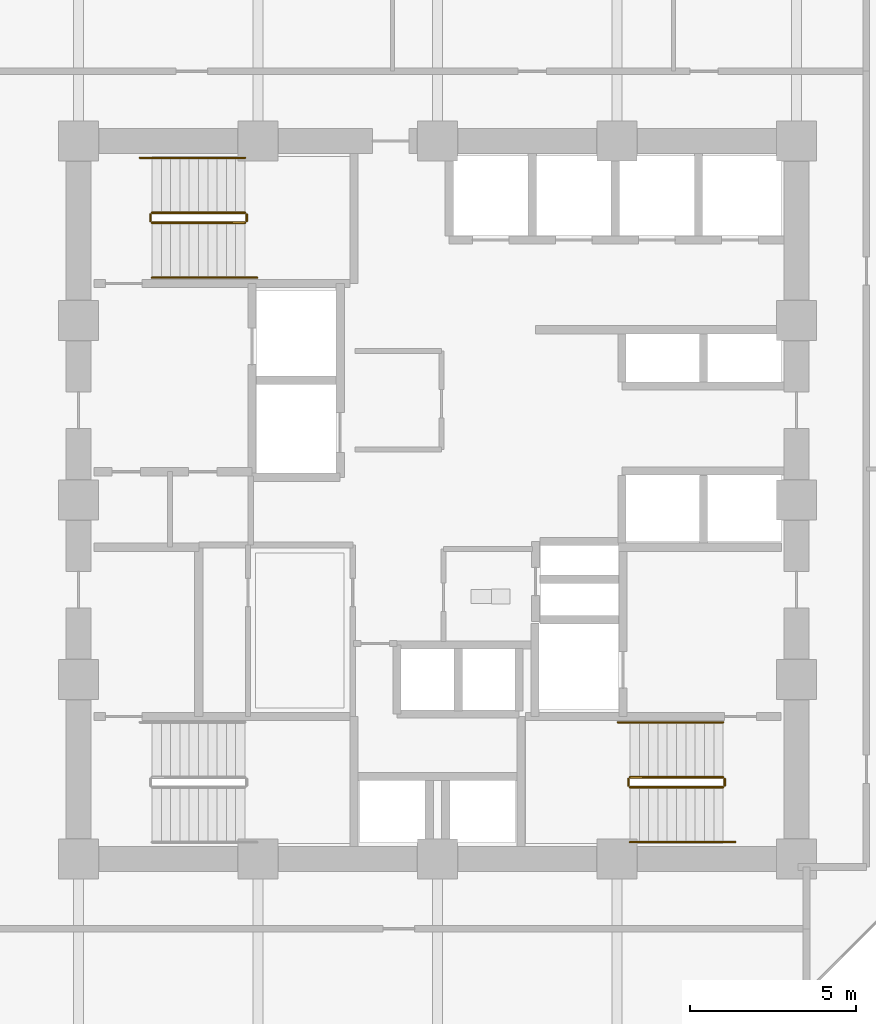
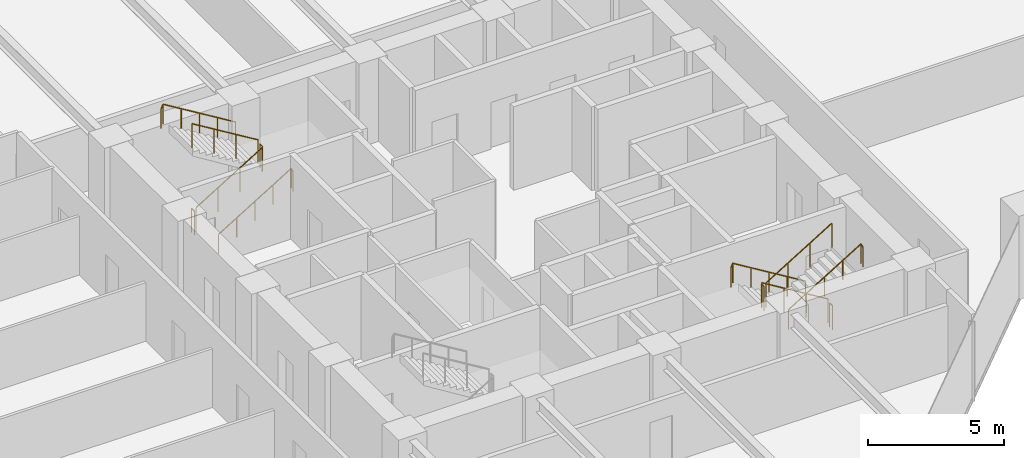
# One storey, part 24 of 25: 12 railings.
"""IFC4 building model written with IfcOpenShell, lengths in metres."""

from ifc_helpers import new_model, si_unit, direction, frame, origin, origin_2d, place, context, subcontext, project, spatial, circle, extrude, material, type_object, element, save


model = new_model("IFC4")

# Units and contexts
model_context = context("Model", 3, precision=1e-05, world=origin(), true_north=direction((0.0, 1.0)))
body_context = subcontext(model_context, "Body", "Model", "MODEL_VIEW")
ifc_project = project(units=[si_unit("LENGTHUNIT", "METRE"), si_unit("AREAUNIT", "SQUARE_METRE"), si_unit("VOLUMEUNIT", "CUBIC_METRE"), si_unit("PLANEANGLEUNIT", "RADIAN"), si_unit("MASSUNIT", "GRAM", prefix="KILO")], contexts=[model_context])

# Site, building, storey
site_placement = place(None, origin())
site = spatial("IfcSite", under=ifc_project, at=site_placement, CompositionType="ELEMENT")
building_placement = place(site_placement, origin())
building = spatial("IfcBuilding", under=site, at=building_placement, Name="Surkhivell Harbour Commons", CompositionType="ELEMENT")
storey_placement = place(building_placement, frame((0.0, 0.0, 33.75)))
storey = spatial("IfcBuildingStorey", under=building, at=storey_placement, Name="L08", CompositionType="ELEMENT", Elevation=33.75)

# Railings
ifc_material_1 = material(Name="Galvanised and painted steel S355 guard rail", Category="steel")
railing_type_1 = type_object("IfcRailingType", Name="RAL-ST-GRD1100", PredefinedType="GUARDRAIL", material=ifc_material_1)
railing_1_placement = place(storey_placement, frame((-8.590087890625, 8.340087890625, 0.17041015625)))
element("IfcRailing", 1, at=railing_1_placement, inside=storey, type_object=railing_type_1, Name="L08 ST1 stair guard 1", PredefinedType="GUARDRAIL", context=body_context, shape_type="SweptSolid", body=[
    extrude(circle(Radius=0.02392578125, at=origin_2d()), frame((0.0, 0.0, 1.076171875), z_axis=(0.854169791009, 0.0, 0.51999420009), x_axis=(0.0, 1.0, 0.0)), (0.0, 0.0, 1.0), 3.278076171875),
    extrude(circle(Radius=0.02099609375, at=origin_2d()), origin(), (0.0, 0.0, 1.0), 1.052001953125),
    extrude(circle(Radius=0.02099609375, at=origin_2d()), frame((0.933349609375, 0.0, 0.568115234375)), (0.0, 0.0, 1.0), 1.052001953125),
    extrude(circle(Radius=0.02099609375, at=origin_2d()), frame((1.86669921875, 0.0, 1.136474609375)), (0.0, 0.0, 1.0), 1.052001953125),
    extrude(circle(Radius=0.02099609375, at=origin_2d()), frame((2.800048828125, 0.0, 1.70458984375)), (0.0, 0.0, 1.0), 1.052001953125),
])
railing_2_placement = place(storey_placement, frame((-5.739990234375, 8.389892578125, 1.875)))
element("IfcRailing", 2, at=railing_2_placement, inside=storey, type_object=railing_type_1, Name="L08 ST1 stair guard 2", PredefinedType="GUARDRAIL", context=body_context, shape_type="SweptSolid", body=[
    extrude(circle(Radius=0.02392578125, at=origin_2d()), frame((0.0, 0.0, 1.076171875), z_axis=(0.0, 1.0, 0.0), x_axis=(-1.0, 0.0, 0.0)), (0.0, 0.0, 1.0), 0.2001953125),
    extrude(circle(Radius=0.02099609375, at=origin_2d()), origin(), (0.0, 0.0, 1.0), 1.052001953125),
    extrude(circle(Radius=0.02099609375, at=origin_2d()), frame((0.0, 0.2001953125, 0.0)), (0.0, 0.0, 1.0), 1.052001953125),
])
railing_3_placement = place(storey_placement, frame((-5.7900390625, 8.639892578125, 2.04541015625)))
element("IfcRailing", 3, at=railing_3_placement, inside=storey, type_object=railing_type_1, Name="L08 ST1 stair guard 3", PredefinedType="GUARDRAIL", context=body_context, shape_type="SweptSolid", body=[
    extrude(circle(Radius=0.02392578125, at=origin_2d()), frame((0.0, 0.0, 1.076171875), z_axis=(-0.854169791009, 0.0, 0.51999420009), x_axis=(0.0, -1.0, 0.0)), (0.0, 0.0, 1.0), 3.278076171875),
    extrude(circle(Radius=0.02099609375, at=origin_2d()), origin(), (0.0, 0.0, 1.0), 1.052001953125),
    extrude(circle(Radius=0.02099609375, at=origin_2d()), frame((-0.933349609375, 0.0, 0.568115234375)), (0.0, 0.0, 1.0), 1.052001953125),
    extrude(circle(Radius=0.02099609375, at=origin_2d()), frame((-1.86669921875, 0.0, 1.136474609375)), (0.0, 0.0, 1.0), 1.052001953125),
    extrude(circle(Radius=0.02099609375, at=origin_2d()), frame((-2.800048828125, 0.0, 1.70458984375)), (0.0, 0.0, 1.0), 1.052001953125),
])
railing_4_placement = place(storey_placement, frame((-8.639892578125, 8.389892578125, 0.0)))
element("IfcRailing", 4, at=railing_4_placement, inside=storey, type_object=railing_type_1, Name="L08 ST1 stair guard 4", PredefinedType="GUARDRAIL", context=body_context, shape_type="SweptSolid", body=[
    extrude(circle(Radius=0.02392578125, at=origin_2d()), frame((0.0, 0.0, 1.076171875), z_axis=(0.0, 1.0, 0.0), x_axis=(-1.0, 0.0, 0.0)), (0.0, 0.0, 1.0), 0.2001953125),
    extrude(circle(Radius=0.02099609375, at=origin_2d()), origin(), (0.0, 0.0, 1.0), 1.052001953125),
    extrude(circle(Radius=0.02099609375, at=origin_2d()), frame((0.0, 0.2001953125, 0.0)), (0.0, 0.0, 1.0), 1.052001953125),
])
railing_5_placement = place(storey_placement, frame((8.590087890625, -8.340087890625, 0.17041015625)))
element("IfcRailing", 5, at=railing_5_placement, inside=storey, type_object=railing_type_1, Name="L08 ST2 stair guard 1", PredefinedType="GUARDRAIL", context=body_context, shape_type="SweptSolid", body=[
    extrude(circle(Radius=0.02392578125, at=origin_2d()), frame((0.0, 0.0, 1.076171875), z_axis=(-0.854169791009, 0.0, 0.51999420009), x_axis=(0.0, -1.0, 0.0)), (0.0, 0.0, 1.0), 3.278076171875),
    extrude(circle(Radius=0.02099609375, at=origin_2d()), origin(), (0.0, 0.0, 1.0), 1.052001953125),
    extrude(circle(Radius=0.02099609375, at=origin_2d()), frame((-0.933349609375, 0.0, 0.568115234375)), (0.0, 0.0, 1.0), 1.052001953125),
    extrude(circle(Radius=0.02099609375, at=origin_2d()), frame((-1.86669921875, 0.0, 1.136474609375)), (0.0, 0.0, 1.0), 1.052001953125),
    extrude(circle(Radius=0.02099609375, at=origin_2d()), frame((-2.800048828125, 0.0, 1.70458984375)), (0.0, 0.0, 1.0), 1.052001953125),
])
railing_6_placement = place(storey_placement, frame((5.739990234375, -8.389892578125, 1.875)))
element("IfcRailing", 6, at=railing_6_placement, inside=storey, type_object=railing_type_1, Name="L08 ST2 stair guard 2", PredefinedType="GUARDRAIL", context=body_context, shape_type="SweptSolid", body=[
    extrude(circle(Radius=0.02392578125, at=origin_2d()), frame((0.0, 0.0, 1.076171875), z_axis=(0.0, -1.0, 0.0), x_axis=(1.0, 0.0, 0.0)), (0.0, 0.0, 1.0), 0.2001953125),
    extrude(circle(Radius=0.02099609375, at=origin_2d()), origin(), (0.0, 0.0, 1.0), 1.052001953125),
    extrude(circle(Radius=0.02099609375, at=origin_2d()), frame((0.0, -0.2001953125, 0.0)), (0.0, 0.0, 1.0), 1.052001953125),
])
railing_7_placement = place(storey_placement, frame((5.7900390625, -8.639892578125, 2.04541015625)))
element("IfcRailing", 7, at=railing_7_placement, inside=storey, type_object=railing_type_1, Name="L08 ST2 stair guard 3", PredefinedType="GUARDRAIL", context=body_context, shape_type="SweptSolid", body=[
    extrude(circle(Radius=0.02392578125, at=origin_2d()), frame((0.0, 0.0, 1.076171875), z_axis=(0.854169791009, 0.0, 0.51999420009), x_axis=(0.0, 1.0, 0.0)), (0.0, 0.0, 1.0), 3.278076171875),
    extrude(circle(Radius=0.02099609375, at=origin_2d()), origin(), (0.0, 0.0, 1.0), 1.052001953125),
    extrude(circle(Radius=0.02099609375, at=origin_2d()), frame((0.933349609375, 0.0, 0.568115234375)), (0.0, 0.0, 1.0), 1.052001953125),
    extrude(circle(Radius=0.02099609375, at=origin_2d()), frame((1.86669921875, 0.0, 1.136474609375)), (0.0, 0.0, 1.0), 1.052001953125),
    extrude(circle(Radius=0.02099609375, at=origin_2d()), frame((2.800048828125, 0.0, 1.70458984375)), (0.0, 0.0, 1.0), 1.052001953125),
])
railing_8_placement = place(storey_placement, frame((8.639892578125, -8.389892578125, 0.0)))
element("IfcRailing", 8, at=railing_8_placement, inside=storey, type_object=railing_type_1, Name="L08 ST2 stair guard 4", PredefinedType="GUARDRAIL", context=body_context, shape_type="SweptSolid", body=[
    extrude(circle(Radius=0.02392578125, at=origin_2d()), frame((0.0, 0.0, 1.076171875), z_axis=(0.0, -1.0, 0.0), x_axis=(1.0, 0.0, 0.0)), (0.0, 0.0, 1.0), 0.2001953125),
    extrude(circle(Radius=0.02099609375, at=origin_2d()), origin(), (0.0, 0.0, 1.0), 1.052001953125),
    extrude(circle(Radius=0.02099609375, at=origin_2d()), frame((0.0, -0.2001953125, 0.0)), (0.0, 0.0, 1.0), 1.052001953125),
])
ifc_material_2 = material(Name="Brushed stainless steel S355 handrail", Category="steel")
railing_type_2 = type_object("IfcRailingType", Name="RAL-ST-HND900", PredefinedType="HANDRAIL", material=ifc_material_2)
railing_9_placement = place(storey_placement, frame((-8.590087890625, 6.68994140625, 0.17041015625)))
element("IfcRailing", 9, at=railing_9_placement, inside=storey, type_object=railing_type_2, Name="L08 ST1 stair handrail 1", PredefinedType="HANDRAIL", context=body_context, shape_type="SweptSolid", body=[
    extrude(circle(Radius=0.02392578125, at=origin_2d()), frame((0.0, 0.0, 0.8759765625), z_axis=(0.854177636135, 0.0, 0.519981313056), x_axis=(0.0, 1.0, 0.0)), (0.0, 0.0, 1.0), 3.60595703125),
    extrude(circle(Radius=0.02392578125, at=origin_2d()), frame((3.080078125, 0.0, 2.7509765625), z_axis=(0.425297416671, 0.0, -0.905053648892), x_axis=(0.0, 1.0, 0.0)), (0.0, 0.0, 1.0), 0.188232421875),
    extrude(circle(Radius=0.02099609375, at=origin_2d()), origin(), (0.0, 0.0, 1.0), 0.851806640625),
    extrude(circle(Radius=0.02099609375, at=origin_2d()), frame((0.77001953125, 0.0, 0.46875)), (0.0, 0.0, 1.0), 0.851806640625),
    extrude(circle(Radius=0.02099609375, at=origin_2d()), frame((1.5400390625, 0.0, 0.9375)), (0.0, 0.0, 1.0), 0.851806640625),
    extrude(circle(Radius=0.02099609375, at=origin_2d()), frame((2.31005859375, 0.0, 1.40625)), (0.0, 0.0, 1.0), 0.851806640625),
    extrude(circle(Radius=0.02099609375, at=origin_2d()), frame((3.080078125, 0.0, 1.875)), (0.0, 0.0, 1.0), 0.851806640625),
    extrude(circle(Radius=0.02099609375, at=origin_2d()), frame((3.16015625, 0.0, 1.70458984375)), (0.0, 0.0, 1.0), 0.851806640625),
])
railing_10_placement = place(storey_placement, frame((-5.7900390625, 10.2900390625, 2.04541015625)))
element("IfcRailing", 10, at=railing_10_placement, inside=storey, type_object=railing_type_2, Name="L08 ST1 stair handrail 2", PredefinedType="HANDRAIL", context=body_context, shape_type="SweptSolid", body=[
    extrude(circle(Radius=0.02392578125, at=origin_2d()), frame((0.0, 0.0, 0.8759765625), z_axis=(-0.854177636135, 0.0, 0.519981313056), x_axis=(0.0, -1.0, 0.0)), (0.0, 0.0, 1.0), 3.60595703125),
    extrude(circle(Radius=0.02392578125, at=origin_2d()), frame((-3.080078125, 0.0, 2.7509765625), z_axis=(-0.424234432967, 0.0, -0.905552398199), x_axis=(0.0, -1.0, 0.0)), (0.0, 0.0, 1.0), 0.188232421875),
    extrude(circle(Radius=0.02099609375, at=origin_2d()), origin(), (0.0, 0.0, 1.0), 0.851806640625),
    extrude(circle(Radius=0.02099609375, at=origin_2d()), frame((-0.77001953125, 0.0, 0.46875)), (0.0, 0.0, 1.0), 0.851806640625),
    extrude(circle(Radius=0.02099609375, at=origin_2d()), frame((-1.5400390625, 0.0, 0.9375)), (0.0, 0.0, 1.0), 0.851806640625),
    extrude(circle(Radius=0.02099609375, at=origin_2d()), frame((-2.31005859375, 0.0, 1.40625)), (0.0, 0.0, 1.0), 0.851806640625),
    extrude(circle(Radius=0.02099609375, at=origin_2d()), frame((-3.080078125, 0.0, 1.875)), (0.0, 0.0, 1.0), 0.851806640625),
    extrude(circle(Radius=0.02099609375, at=origin_2d()), frame((-3.159912109375, 0.0, 1.70458984375)), (0.0, 0.0, 1.0), 0.851806640625),
])
railing_11_placement = place(storey_placement, frame((8.590087890625, -6.68994140625, 0.17041015625)))
element("IfcRailing", 11, at=railing_11_placement, inside=storey, type_object=railing_type_2, Name="L08 ST2 stair handrail 1", PredefinedType="HANDRAIL", context=body_context, shape_type="SweptSolid", body=[
    extrude(circle(Radius=0.02392578125, at=origin_2d()), frame((0.0, 0.0, 0.8759765625), z_axis=(-0.854177636135, 0.0, 0.519981313056), x_axis=(0.0, -1.0, 0.0)), (0.0, 0.0, 1.0), 3.60595703125),
    extrude(circle(Radius=0.02392578125, at=origin_2d()), frame((-3.080078125, 0.0, 2.7509765625), z_axis=(-0.425297416671, 0.0, -0.905053648892), x_axis=(0.0, -1.0, 0.0)), (0.0, 0.0, 1.0), 0.188232421875),
    extrude(circle(Radius=0.02099609375, at=origin_2d()), origin(), (0.0, 0.0, 1.0), 0.851806640625),
    extrude(circle(Radius=0.02099609375, at=origin_2d()), frame((-0.77001953125, 0.0, 0.46875)), (0.0, 0.0, 1.0), 0.851806640625),
    extrude(circle(Radius=0.02099609375, at=origin_2d()), frame((-1.5400390625, 0.0, 0.9375)), (0.0, 0.0, 1.0), 0.851806640625),
    extrude(circle(Radius=0.02099609375, at=origin_2d()), frame((-2.31005859375, 0.0, 1.40625)), (0.0, 0.0, 1.0), 0.851806640625),
    extrude(circle(Radius=0.02099609375, at=origin_2d()), frame((-3.080078125, 0.0, 1.875)), (0.0, 0.0, 1.0), 0.851806640625),
    extrude(circle(Radius=0.02099609375, at=origin_2d()), frame((-3.16015625, 0.0, 1.70458984375)), (0.0, 0.0, 1.0), 0.851806640625),
])
railing_12_placement = place(storey_placement, frame((5.7900390625, -10.2900390625, 2.04541015625)))
element("IfcRailing", 12, at=railing_12_placement, inside=storey, type_object=railing_type_2, Name="L08 ST2 stair handrail 2", PredefinedType="HANDRAIL", context=body_context, shape_type="SweptSolid", body=[
    extrude(circle(Radius=0.02392578125, at=origin_2d()), frame((0.0, 0.0, 0.8759765625), z_axis=(0.854177636135, 0.0, 0.519981313056), x_axis=(0.0, 1.0, 0.0)), (0.0, 0.0, 1.0), 3.60595703125),
    extrude(circle(Radius=0.02392578125, at=origin_2d()), frame((3.080078125, 0.0, 2.7509765625), z_axis=(0.424234432967, 0.0, -0.905552398199), x_axis=(0.0, 1.0, 0.0)), (0.0, 0.0, 1.0), 0.188232421875),
    extrude(circle(Radius=0.02099609375, at=origin_2d()), origin(), (0.0, 0.0, 1.0), 0.851806640625),
    extrude(circle(Radius=0.02099609375, at=origin_2d()), frame((0.77001953125, 0.0, 0.46875)), (0.0, 0.0, 1.0), 0.851806640625),
    extrude(circle(Radius=0.02099609375, at=origin_2d()), frame((1.5400390625, 0.0, 0.9375)), (0.0, 0.0, 1.0), 0.851806640625),
    extrude(circle(Radius=0.02099609375, at=origin_2d()), frame((2.31005859375, 0.0, 1.40625)), (0.0, 0.0, 1.0), 0.851806640625),
    extrude(circle(Radius=0.02099609375, at=origin_2d()), frame((3.080078125, 0.0, 1.875)), (0.0, 0.0, 1.0), 0.851806640625),
    extrude(circle(Radius=0.02099609375, at=origin_2d()), frame((3.159912109375, 0.0, 1.70458984375)), (0.0, 0.0, 1.0), 0.851806640625),
])

save(model, "model.ifc")
